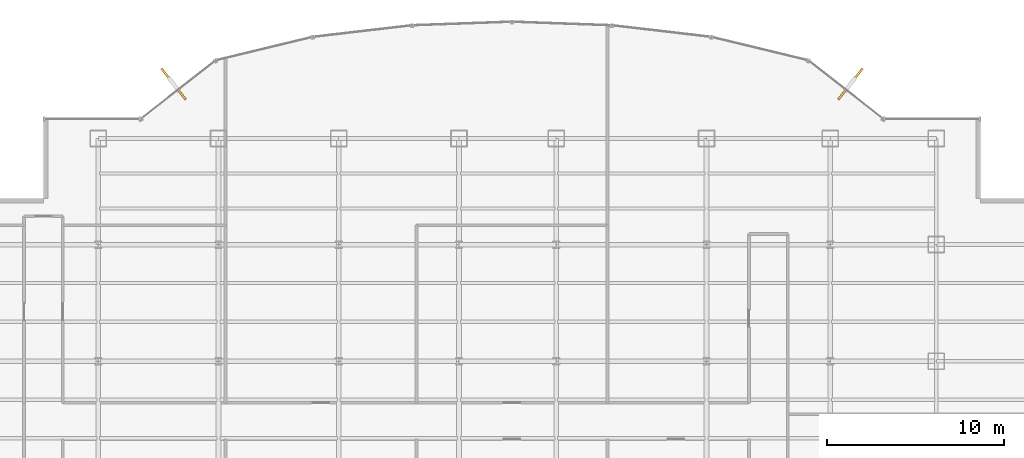
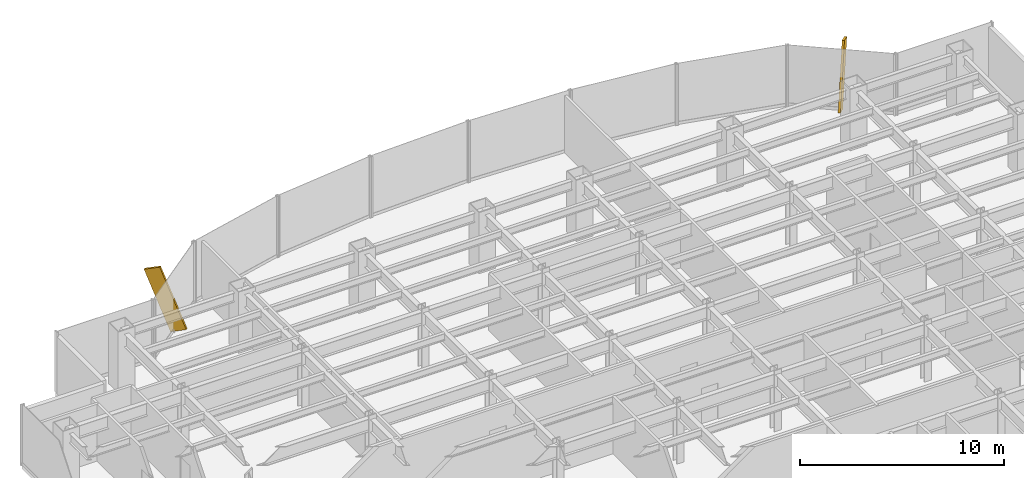
# One storey, part 22 of 23: 2 shading devices.
"""IFC4 building model written with IfcOpenShell, lengths in metres."""

from ifc_helpers import new_model, si_unit, derived_unit, direction, frame, origin, origin_2d, place, context, subcontext, project, spatial, rectangle, extrude, source, transform, mapped, material, type_object, element, save


model = new_model("IFC4")

# Units and contexts
model_context = context("Model", 3, precision=1e-05, world=origin(), true_north=direction((0.0, 1.0)))
body_context = subcontext(model_context, "Body", "Model", "MODEL_VIEW")
ifc_project = project(units=[si_unit("LENGTHUNIT", "METRE"), si_unit("AREAUNIT", "SQUARE_METRE"), si_unit("VOLUMEUNIT", "CUBIC_METRE"), si_unit("PLANEANGLEUNIT", "RADIAN"), si_unit("MASSUNIT", "GRAM", prefix="KILO"), derived_unit("THERMALTRANSMITTANCEUNIT", [(si_unit("POWERUNIT", "WATT"), 1), (si_unit("LENGTHUNIT", "METRE"), -2), (si_unit("THERMODYNAMICTEMPERATUREUNIT", "KELVIN"), -1)])], contexts=[model_context])

# Site, building, storey
site_placement = place(None, origin())
site = spatial("IfcSite", under=ifc_project, at=site_placement, CompositionType="ELEMENT")
building_placement = place(site_placement, origin())
building = spatial("IfcBuilding", under=site, at=building_placement, Name="Skarnbrae Concourse Arena and Tower", CompositionType="ELEMENT")
storey_placement = place(building_placement, frame((0.0, 0.0, 50.75)))
storey = spatial("IfcBuildingStorey", under=building, at=storey_placement, Name="L11", CompositionType="ELEMENT", Elevation=50.75)

# Shading devices
ifc_material = material(Name="Bronze anodised aluminium 6063-T6", Category="aluminium")
shading_device_type = type_object("IfcShadingDeviceType", Name="SHD-BRONZE-FIN-900", PredefinedType="USERDEFINED", material=ifc_material)
shared_shape = source(origin(), body_context, "Body", "SweptSolid", [
    extrude(rectangle(XDim=0.1201171875, YDim=0.89990234375, at=origin_2d()), origin(), (0.0, 0.0, 1.0), 3.64990234375),
])
for number, where, z_axis, x_axis, name in (
    (1, (49.7109375, 42.93603515625, 0.13916015625), (0.236075101385, 0.301803893194, 0.9236790333), (0.787656027369, -0.616115234797, 0.0), "L11 Outward-leaning bronze shading fin 08"),
    (2, (12.2890625, 42.93603515625, 0.13916015625), (-0.236075101385, 0.301803893194, 0.9236790333), (0.787656027369, 0.616115234797, 0.0), "L11 Outward-leaning bronze shading fin 15"),
):
    element("IfcShadingDevice", number, at=place(storey_placement, frame(where, z_axis=z_axis, x_axis=x_axis)), inside=storey, type_object=shading_device_type, Name=name, ObjectType="FIN", PredefinedType="USERDEFINED", context=body_context, shape_type="MappedRepresentation", body=[
        mapped(shared_shape, transform((0.0, 0.0, 0.0))),
    ])

save(model, "model.ifc")
